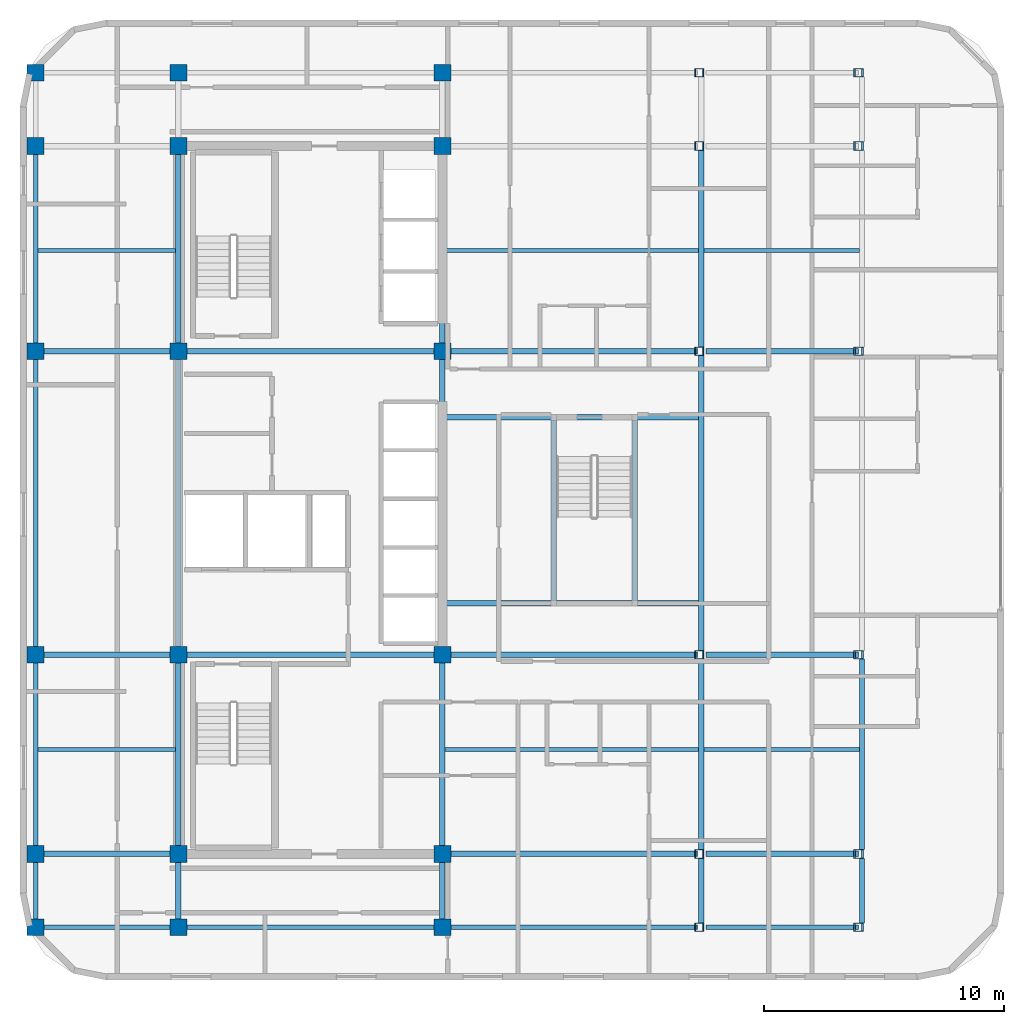
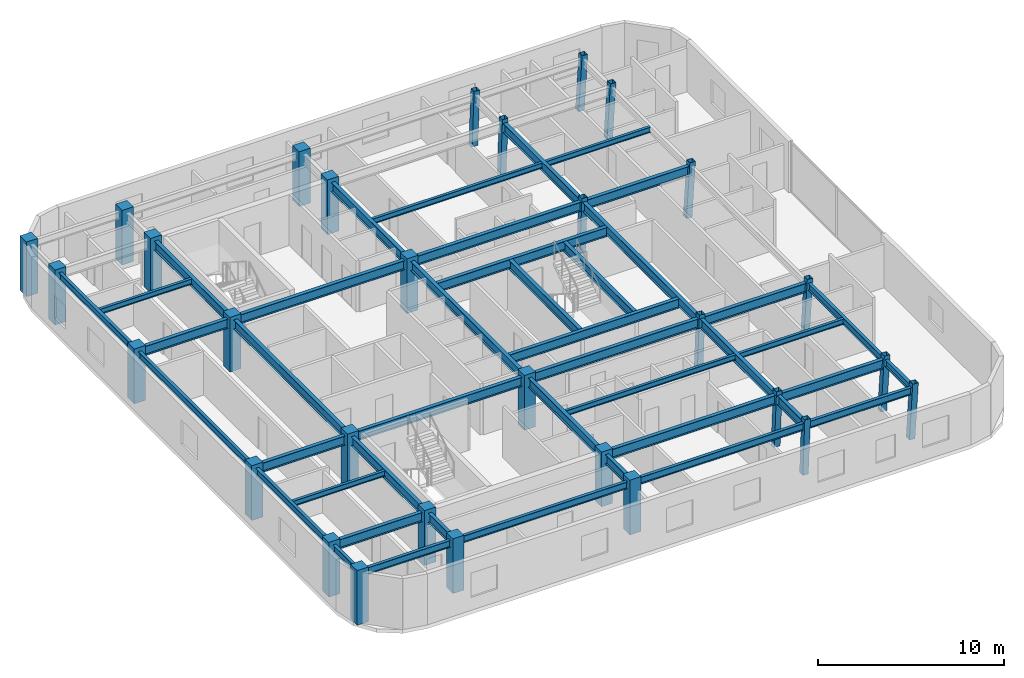
# One storey, part 1 of 9: 43 beams, 30 columns.
"""IFC4 building model written with IfcOpenShell, lengths in metres."""

from ifc_helpers import new_model, si_unit, direction, frame, origin, origin_2d, place, context, subcontext, project, spatial, rectangle, hollow_rectangle, i_section, extrude, material, material_profile, profile_set, type_object, element, save


model = new_model("IFC4")

# Units and contexts
model_context = context("Model", 3, precision=1e-05, world=origin(), true_north=direction((0.0, 1.0)))
body_context = subcontext(model_context, "Body", "Model", "MODEL_VIEW")
ifc_project = project(units=[si_unit("LENGTHUNIT", "METRE"), si_unit("AREAUNIT", "SQUARE_METRE"), si_unit("VOLUMEUNIT", "CUBIC_METRE"), si_unit("PLANEANGLEUNIT", "RADIAN"), si_unit("MASSUNIT", "GRAM", prefix="KILO")], contexts=[model_context])

# Site, building, storey
site_placement = place(None, origin())
site = spatial("IfcSite", under=ifc_project, at=site_placement, CompositionType="ELEMENT")
building_placement = place(site_placement, origin())
building = spatial("IfcBuilding", under=site, at=building_placement, Name="Ochreholt Gables", CompositionType="ELEMENT")
storey_placement = place(building_placement, frame((0.0, 0.0, 169.800048828125)))
storey = spatial("IfcBuildingStorey", under=building, at=storey_placement, Name="L44", CompositionType="ELEMENT", Elevation=169.800048828125)

# Columns
ifc_material_1 = material(Name="Steel CSA G40.21 350W", Category="steel")
ifc_material_profile_1 = material_profile(ifc_material_1, hollow_rectangle(XDim=0.35595703125, YDim=0.35595703125, WallThickness=0.01611328125, at=origin_2d()), Name="HSS356X356X16")
ifc_profile_set_1 = profile_set([ifc_material_profile_1], Name="Steel CSA G40.21 350W")
column_type_1 = type_object("IfcColumnType", Name="COL-HSS356-RAK", PredefinedType="COLUMN", material=ifc_profile_set_1)
for number, where, z_axis, x_axis, name in (
    (1, (45.87890625, 9.25, 0.0), (0.034973505036, 0.0, 0.999388239847), (0.0, 1.0, 0.0), "L44 Column EMY2"),
    (2, (45.87890625, 17.550048828125, 0.0), (0.034973505036, 0.0, 0.999388239847), (0.0, 1.0, 0.0), "L44 Column EMY3"),
    (3, (45.87890625, 30.199951171875, 0.0), (0.034973505036, 0.0, 0.999388239847), (0.0, 1.0, 0.0), "L44 Column EMY4"),
    (4, (45.87890625, 38.75, 0.0), (0.034973505036, 0.0, 0.999388239847), (0.0, 1.0, 0.0), "L44 Column EMY5"),
):
    element("IfcColumn", number, at=place(storey_placement, frame(where, z_axis=z_axis, x_axis=x_axis)), inside=storey, type_object=column_type_1, Name=name, PredefinedType="COLUMN", context=body_context, shape_type="SweptSolid", body=[
        extrude(hollow_rectangle(XDim=0.35595703125, YDim=0.35595703125, WallThickness=0.01611328125, at=origin_2d()), origin(), (0.0, 0.0, 1.0), 3.60205078125),
    ])
ifc_material_profile_2 = material_profile(ifc_material_1, hollow_rectangle(XDim=0.35595703125, YDim=0.35595703125, WallThickness=0.01611328125, at=origin_2d()), Name="HSS356X356X16")
ifc_profile_set_2 = profile_set([ifc_material_profile_2], Name="Steel CSA G40.21 350W")
column_type_2 = type_object("IfcColumnType", Name="COL-HSS356-RAKE", PredefinedType="COLUMN", material=ifc_profile_set_2)
for number, where, z_axis, x_axis, name in (
    (5, (45.87890625, 6.199951171875, 0.0), (0.034973505036, 0.0, 0.999388239847), (0.0, 1.0, 0.0), "L44 Column EMY1"),
    (6, (45.87890625, 41.800048828125, 0.0), (0.034973505036, 0.0, 0.999388239847), (0.0, 1.0, 0.0), "L44 Column EMY6"),
):
    element("IfcColumn", number, at=place(storey_placement, frame(where, z_axis=z_axis, x_axis=x_axis)), inside=storey, type_object=column_type_2, Name=name, PredefinedType="COLUMN", context=body_context, shape_type="SweptSolid", body=[
        extrude(hollow_rectangle(XDim=0.35595703125, YDim=0.35595703125, WallThickness=0.01611328125, at=origin_2d()), origin(), (0.0, 0.0, 1.0), 3.60205078125),
    ])
for number, where, z_axis, x_axis, name in (
    (7, (52.505126953125, 6.199951171875, 0.0), (0.057955997462, 0.0, 0.998319138531), (0.0, 1.0, 0.0), "L44 Column EEY1"),
    (8, (52.505126953125, 9.25, 0.0), (0.057955997462, 0.0, 0.998319138531), (0.0, 1.0, 0.0), "L44 Column EEY2"),
    (9, (52.505126953125, 17.550048828125, 0.0), (0.057955997462, 0.0, 0.998319138531), (0.0, 1.0, 0.0), "L44 Column EEY3"),
    (10, (52.505126953125, 30.199951171875, 0.0), (0.057955997462, 0.0, 0.998319138531), (0.0, 1.0, 0.0), "L44 Column EEY4"),
    (11, (52.505126953125, 38.75, 0.0), (0.057955997462, 0.0, 0.998319138531), (0.0, 1.0, 0.0), "L44 Column EEY5"),
    (12, (52.505126953125, 41.800048828125, 0.0), (0.057955997462, 0.0, 0.998319138531), (0.0, 1.0, 0.0), "L44 Column EEY6"),
):
    element("IfcColumn", number, at=place(storey_placement, frame(where, z_axis=z_axis, x_axis=x_axis)), inside=storey, type_object=column_type_2, Name=name, PredefinedType="COLUMN", context=body_context, shape_type="SweptSolid", body=[
        extrude(hollow_rectangle(XDim=0.35595703125, YDim=0.35595703125, WallThickness=0.01611328125, at=origin_2d()), origin(), (0.0, 0.0, 1.0), 3.60595703125),
    ])
ifc_material_2 = material(Name="Concrete 50 MPa", Category="concrete")
ifc_material_profile_3 = material_profile(ifc_material_2, rectangle(XDim=0.699951171875, YDim=0.699951171875, at=origin_2d()), Name="RC700X700")
ifc_profile_set_3 = profile_set([ifc_material_profile_3], Name="Concrete 50 MPa")
column_type_3 = type_object("IfcColumnType", Name="COL-RC700-EXT", PredefinedType="COLUMN", material=ifc_profile_set_3)
for number, where, z_axis, x_axis, name in (
    (13, (18.25, 6.199951171875, 0.0), (0.0, 0.0, 1.0), (1.0, 0.0, 0.0), "L44 Column W3Y1"),
    (14, (18.25, 9.25, 0.0), (0.0, 0.0, 1.0), (1.0, 0.0, 0.0), "L44 Column W3Y2"),
    (15, (18.25, 17.550048828125, 0.0), (0.0, 0.0, 1.0), (1.0, 0.0, 0.0), "L44 Column W3Y3"),
    (16, (18.25, 30.199951171875, 0.0), (0.0, 0.0, 1.0), (1.0, 0.0, 0.0), "L44 Column W3Y4"),
    (17, (18.25, 38.75, 0.0), (0.0, 0.0, 1.0), (1.0, 0.0, 0.0), "L44 Column W3Y5"),
    (18, (18.25, 41.800048828125, 0.0), (0.0, 0.0, 1.0), (1.0, 0.0, 0.0), "L44 Column W3Y6"),
    (19, (24.199951171875, 6.199951171875, 0.0), (0.0, 0.0, 1.0), (1.0, 0.0, 0.0), "L44 Column C1Y1"),
    (20, (24.199951171875, 41.800048828125, 0.0), (0.0, 0.0, 1.0), (1.0, 0.0, 0.0), "L44 Column C1Y6"),
    (21, (35.199951171875, 6.199951171875, 0.0), (0.0, 0.0, 1.0), (1.0, 0.0, 0.0), "L44 Column C2Y1"),
    (22, (35.199951171875, 41.800048828125, 0.0), (0.0, 0.0, 1.0), (1.0, 0.0, 0.0), "L44 Column C2Y6"),
):
    element("IfcColumn", number, at=place(storey_placement, frame(where, z_axis=z_axis, x_axis=x_axis)), inside=storey, type_object=column_type_3, Name=name, PredefinedType="COLUMN", context=body_context, shape_type="SweptSolid", body=[
        extrude(rectangle(XDim=0.699951171875, YDim=0.699951171875, at=origin_2d()), origin(), (0.0, 0.0, 1.0), 3.599853515625),
    ])
ifc_material_profile_4 = material_profile(ifc_material_2, rectangle(XDim=0.699951171875, YDim=0.699951171875, at=origin_2d()), Name="RC700X700")
ifc_profile_set_4 = profile_set([ifc_material_profile_4], Name="Concrete 50 MPa")
column_type_4 = type_object("IfcColumnType", Name="COL-RC700-INT", PredefinedType="COLUMN", material=ifc_profile_set_4)
for number, where, z_axis, x_axis, name in (
    (23, (24.199951171875, 9.25, 0.0), (0.0, 0.0, 1.0), (1.0, 0.0, 0.0), "L44 Column C1Y2"),
    (24, (24.199951171875, 17.550048828125, 0.0), (0.0, 0.0, 1.0), (1.0, 0.0, 0.0), "L44 Column C1Y3"),
    (25, (24.199951171875, 30.199951171875, 0.0), (0.0, 0.0, 1.0), (1.0, 0.0, 0.0), "L44 Column C1Y4"),
    (26, (24.199951171875, 38.75, 0.0), (0.0, 0.0, 1.0), (1.0, 0.0, 0.0), "L44 Column C1Y5"),
    (27, (35.199951171875, 9.25, 0.0), (0.0, 0.0, 1.0), (1.0, 0.0, 0.0), "L44 Column C2Y2"),
    (28, (35.199951171875, 17.550048828125, 0.0), (0.0, 0.0, 1.0), (1.0, 0.0, 0.0), "L44 Column C2Y3"),
    (29, (35.199951171875, 30.199951171875, 0.0), (0.0, 0.0, 1.0), (1.0, 0.0, 0.0), "L44 Column C2Y4"),
    (30, (35.199951171875, 38.75, 0.0), (0.0, 0.0, 1.0), (1.0, 0.0, 0.0), "L44 Column C2Y5"),
):
    element("IfcColumn", number, at=place(storey_placement, frame(where, z_axis=z_axis, x_axis=x_axis)), inside=storey, type_object=column_type_4, Name=name, PredefinedType="COLUMN", context=body_context, shape_type="SweptSolid", body=[
        extrude(rectangle(XDim=0.699951171875, YDim=0.699951171875, at=origin_2d()), origin(), (0.0, 0.0, 1.0), 3.599853515625),
    ])

# Beams
ifc_material_profile_5 = material_profile(ifc_material_1, i_section(OverallWidth=0.22900390625, OverallDepth=0.612060546875, WebThickness=0.011962890625, FlangeThickness=0.01953125, at=origin_2d()), Name="W610X125")
ifc_profile_set_5 = profile_set([ifc_material_profile_5], Name="Steel CSA G40.21 350W")
beam_type_1 = type_object("IfcBeamType", Name="BM-G-W610B", PredefinedType="BEAM", material=ifc_profile_set_5)
beam_1_placement = place(storey_placement, frame((18.599609375, 9.25, 3.0439453125), z_axis=(1.0, 0.0, 0.0), x_axis=(0.0, 1.0, 0.0)))
element("IfcBeam", 31, at=beam_1_placement, inside=storey, type_object=beam_type_1, Name="L44 Beam TBG-L44-W3C1-Y2", PredefinedType="BEAM", context=body_context, shape_type="SweptSolid", body=[
    extrude(i_section(OverallWidth=0.22900390625, OverallDepth=0.612060546875, WebThickness=0.011962890625, FlangeThickness=0.01953125, at=origin_2d()), origin(), (0.0, 0.0, 1.0), 5.250732421875),
])
beam_2_placement = place(storey_placement, frame((35.549560546875, 9.25, 3.0439453125), z_axis=(1.0, 0.0, 0.0), x_axis=(0.0, 1.0, 0.0)))
element("IfcBeam", 32, at=beam_2_placement, inside=storey, type_object=beam_type_1, Name="L44 Beam TBG-L44-C2EM-Y2", PredefinedType="BEAM", context=body_context, shape_type="SweptSolid", body=[
    extrude(i_section(OverallWidth=0.22900390625, OverallDepth=0.612060546875, WebThickness=0.011962890625, FlangeThickness=0.01953125, at=origin_2d()), origin(), (0.0, 0.0, 1.0), 10.27783203125),
])
beam_3_placement = place(storey_placement, frame((46.1826171875, 9.25, 3.0439453125), z_axis=(1.0, 0.0, 0.0), x_axis=(0.0, 1.0, 0.0)))
element("IfcBeam", 33, at=beam_3_placement, inside=storey, type_object=beam_type_1, Name="L44 Beam TBG-L44-EMEE-Y2", PredefinedType="BEAM", context=body_context, shape_type="SweptSolid", body=[
    extrude(i_section(OverallWidth=0.22900390625, OverallDepth=0.612060546875, WebThickness=0.011962890625, FlangeThickness=0.01953125, at=origin_2d()), origin(), (0.0, 0.0, 1.0), 6.353759765625),
])
beam_4_placement = place(storey_placement, frame((18.599609375, 17.550048828125, 3.0439453125), z_axis=(1.0, 0.0, 0.0), x_axis=(0.0, 1.0, 0.0)))
element("IfcBeam", 34, at=beam_4_placement, inside=storey, type_object=beam_type_1, Name="L44 Beam TBG-L44-W3C1-Y3", PredefinedType="BEAM", context=body_context, shape_type="SweptSolid", body=[
    extrude(i_section(OverallWidth=0.22900390625, OverallDepth=0.612060546875, WebThickness=0.011962890625, FlangeThickness=0.01953125, at=origin_2d()), origin(), (0.0, 0.0, 1.0), 5.250732421875),
])
beam_5_placement = place(storey_placement, frame((24.549560546875, 17.550048828125, 3.0439453125), z_axis=(1.0, 0.0, 0.0), x_axis=(0.0, 1.0, 0.0)))
element("IfcBeam", 35, at=beam_5_placement, inside=storey, type_object=beam_type_1, Name="L44 Beam TBG-L44-C1C2-Y3", PredefinedType="BEAM", context=body_context, shape_type="SweptSolid", body=[
    extrude(i_section(OverallWidth=0.22900390625, OverallDepth=0.612060546875, WebThickness=0.011962890625, FlangeThickness=0.01953125, at=origin_2d()), origin(), (0.0, 0.0, 1.0), 10.30078125),
])
beam_6_placement = place(storey_placement, frame((35.549560546875, 17.550048828125, 3.0439453125), z_axis=(1.0, 0.0, 0.0), x_axis=(0.0, 1.0, 0.0)))
element("IfcBeam", 36, at=beam_6_placement, inside=storey, type_object=beam_type_1, Name="L44 Beam TBG-L44-C2EM-Y3", PredefinedType="BEAM", context=body_context, shape_type="SweptSolid", body=[
    extrude(i_section(OverallWidth=0.22900390625, OverallDepth=0.612060546875, WebThickness=0.011962890625, FlangeThickness=0.01953125, at=origin_2d()), origin(), (0.0, 0.0, 1.0), 10.27783203125),
])
beam_7_placement = place(storey_placement, frame((46.1826171875, 17.550048828125, 3.0439453125), z_axis=(1.0, 0.0, 0.0), x_axis=(0.0, 1.0, 0.0)))
element("IfcBeam", 37, at=beam_7_placement, inside=storey, type_object=beam_type_1, Name="L44 Beam TBG-L44-EMEE-Y3", PredefinedType="BEAM", context=body_context, shape_type="SweptSolid", body=[
    extrude(i_section(OverallWidth=0.22900390625, OverallDepth=0.612060546875, WebThickness=0.011962890625, FlangeThickness=0.01953125, at=origin_2d()), origin(), (0.0, 0.0, 1.0), 6.353759765625),
])
beam_8_placement = place(storey_placement, frame((18.599609375, 30.199951171875, 3.0439453125), z_axis=(1.0, 0.0, 0.0), x_axis=(0.0, 1.0, 0.0)))
element("IfcBeam", 38, at=beam_8_placement, inside=storey, type_object=beam_type_1, Name="L44 Beam TBG-L44-W3C1-Y4", PredefinedType="BEAM", context=body_context, shape_type="SweptSolid", body=[
    extrude(i_section(OverallWidth=0.22900390625, OverallDepth=0.612060546875, WebThickness=0.011962890625, FlangeThickness=0.01953125, at=origin_2d()), origin(), (0.0, 0.0, 1.0), 5.250732421875),
])
beam_9_placement = place(storey_placement, frame((24.549560546875, 30.199951171875, 3.0439453125), z_axis=(1.0, 0.0, 0.0), x_axis=(0.0, 1.0, 0.0)))
element("IfcBeam", 39, at=beam_9_placement, inside=storey, type_object=beam_type_1, Name="L44 Beam TBG-L44-C1C2-Y4", PredefinedType="BEAM", context=body_context, shape_type="SweptSolid", body=[
    extrude(i_section(OverallWidth=0.22900390625, OverallDepth=0.612060546875, WebThickness=0.011962890625, FlangeThickness=0.01953125, at=origin_2d()), origin(), (0.0, 0.0, 1.0), 10.30078125),
])
beam_10_placement = place(storey_placement, frame((35.549560546875, 30.199951171875, 3.0439453125), z_axis=(1.0, 0.0, 0.0), x_axis=(0.0, 1.0, 0.0)))
element("IfcBeam", 40, at=beam_10_placement, inside=storey, type_object=beam_type_1, Name="L44 Beam TBG-L44-C2EM-Y4", PredefinedType="BEAM", context=body_context, shape_type="SweptSolid", body=[
    extrude(i_section(OverallWidth=0.22900390625, OverallDepth=0.612060546875, WebThickness=0.011962890625, FlangeThickness=0.01953125, at=origin_2d()), origin(), (0.0, 0.0, 1.0), 10.27783203125),
])
beam_11_placement = place(storey_placement, frame((46.1826171875, 30.199951171875, 3.0439453125), z_axis=(1.0, 0.0, 0.0), x_axis=(0.0, 1.0, 0.0)))
element("IfcBeam", 41, at=beam_11_placement, inside=storey, type_object=beam_type_1, Name="L44 Beam TBG-L44-EMEE-Y4", PredefinedType="BEAM", context=body_context, shape_type="SweptSolid", body=[
    extrude(i_section(OverallWidth=0.22900390625, OverallDepth=0.612060546875, WebThickness=0.011962890625, FlangeThickness=0.01953125, at=origin_2d()), origin(), (0.0, 0.0, 1.0), 6.353759765625),
])
beam_12_placement = place(storey_placement, frame((24.199951171875, 6.549560546875, 3.0439453125), z_axis=(0.0, 1.0, 0.0), x_axis=(-1.0, 0.0, 0.0)))
element("IfcBeam", 42, at=beam_12_placement, inside=storey, type_object=beam_type_1, Name="L44 Beam TBN-L44-C1-Y1Y2", PredefinedType="BEAM", context=body_context, shape_type="SweptSolid", body=[
    extrude(i_section(OverallWidth=0.22900390625, OverallDepth=0.612060546875, WebThickness=0.011962890625, FlangeThickness=0.01953125, at=origin_2d()), origin(), (0.0, 0.0, 1.0), 2.350830078125),
])
beam_13_placement = place(storey_placement, frame((24.199951171875, 9.599609375, 3.0439453125), z_axis=(0.0, 1.0, 0.0), x_axis=(-1.0, 0.0, 0.0)))
element("IfcBeam", 43, at=beam_13_placement, inside=storey, type_object=beam_type_1, Name="L44 Beam TBN-L44-C1-Y2Y3", PredefinedType="BEAM", context=body_context, shape_type="SweptSolid", body=[
    extrude(i_section(OverallWidth=0.22900390625, OverallDepth=0.612060546875, WebThickness=0.011962890625, FlangeThickness=0.01953125, at=origin_2d()), origin(), (0.0, 0.0, 1.0), 7.600830078125),
])
beam_14_placement = place(storey_placement, frame((24.199951171875, 17.899658203125, 3.0439453125), z_axis=(0.0, 1.0, 0.0), x_axis=(-1.0, 0.0, 0.0)))
element("IfcBeam", 44, at=beam_14_placement, inside=storey, type_object=beam_type_1, Name="L44 Beam TBN-L44-C1-Y3Y4", PredefinedType="BEAM", context=body_context, shape_type="SweptSolid", body=[
    extrude(i_section(OverallWidth=0.22900390625, OverallDepth=0.612060546875, WebThickness=0.011962890625, FlangeThickness=0.01953125, at=origin_2d()), origin(), (0.0, 0.0, 1.0), 11.95068359375),
])
beam_15_placement = place(storey_placement, frame((24.199951171875, 30.549560546875, 3.0439453125), z_axis=(0.0, 1.0, 0.0), x_axis=(-1.0, 0.0, 0.0)))
element("IfcBeam", 45, at=beam_15_placement, inside=storey, type_object=beam_type_1, Name="L44 Beam TBN-L44-C1-Y4Y5", PredefinedType="BEAM", context=body_context, shape_type="SweptSolid", body=[
    extrude(i_section(OverallWidth=0.22900390625, OverallDepth=0.612060546875, WebThickness=0.011962890625, FlangeThickness=0.01953125, at=origin_2d()), origin(), (0.0, 0.0, 1.0), 7.850830078125),
])
beam_16_placement = place(storey_placement, frame((35.199951171875, 6.549560546875, 3.0439453125), z_axis=(0.0, 1.0, 0.0), x_axis=(-1.0, 0.0, 0.0)))
element("IfcBeam", 46, at=beam_16_placement, inside=storey, type_object=beam_type_1, Name="L44 Beam TBN-L44-C2-Y1Y2", PredefinedType="BEAM", context=body_context, shape_type="SweptSolid", body=[
    extrude(i_section(OverallWidth=0.22900390625, OverallDepth=0.612060546875, WebThickness=0.011962890625, FlangeThickness=0.01953125, at=origin_2d()), origin(), (0.0, 0.0, 1.0), 2.350830078125),
])
beam_17_placement = place(storey_placement, frame((35.199951171875, 9.599609375, 3.0439453125), z_axis=(0.0, 1.0, 0.0), x_axis=(-1.0, 0.0, 0.0)))
element("IfcBeam", 47, at=beam_17_placement, inside=storey, type_object=beam_type_1, Name="L44 Beam TBN-L44-C2-Y2Y3", PredefinedType="BEAM", context=body_context, shape_type="SweptSolid", body=[
    extrude(i_section(OverallWidth=0.22900390625, OverallDepth=0.612060546875, WebThickness=0.011962890625, FlangeThickness=0.01953125, at=origin_2d()), origin(), (0.0, 0.0, 1.0), 7.600830078125),
])
beam_18_placement = place(storey_placement, frame((35.199951171875, 17.899658203125, 3.0439453125), z_axis=(0.0, 1.0, 0.0), x_axis=(-1.0, 0.0, 0.0)))
element("IfcBeam", 48, at=beam_18_placement, inside=storey, type_object=beam_type_1, Name="L44 Beam TBN-L44-C2-Y3Y4", PredefinedType="BEAM", context=body_context, shape_type="SweptSolid", body=[
    extrude(i_section(OverallWidth=0.22900390625, OverallDepth=0.612060546875, WebThickness=0.011962890625, FlangeThickness=0.01953125, at=origin_2d()), origin(), (0.0, 0.0, 1.0), 11.95068359375),
])
beam_19_placement = place(storey_placement, frame((35.199951171875, 30.549560546875, 3.0439453125), z_axis=(0.0, 1.0, 0.0), x_axis=(-1.0, 0.0, 0.0)))
element("IfcBeam", 49, at=beam_19_placement, inside=storey, type_object=beam_type_1, Name="L44 Beam TBN-L44-C2-Y4Y5", PredefinedType="BEAM", context=body_context, shape_type="SweptSolid", body=[
    extrude(i_section(OverallWidth=0.22900390625, OverallDepth=0.612060546875, WebThickness=0.011962890625, FlangeThickness=0.01953125, at=origin_2d()), origin(), (0.0, 0.0, 1.0), 7.850830078125),
])
beam_20_placement = place(storey_placement, frame((45.987548828125, 6.377685546875, 3.0439453125), z_axis=(0.0, 1.0, 0.0), x_axis=(-1.0, 0.0, 0.0)))
element("IfcBeam", 50, at=beam_20_placement, inside=storey, type_object=beam_type_1, Name="L44 Beam TBN-L44-EM-Y1Y2", PredefinedType="BEAM", context=body_context, shape_type="SweptSolid", body=[
    extrude(i_section(OverallWidth=0.22900390625, OverallDepth=0.612060546875, WebThickness=0.011962890625, FlangeThickness=0.01953125, at=origin_2d()), origin(), (0.0, 0.0, 1.0), 2.69482421875),
])
beam_21_placement = place(storey_placement, frame((45.987548828125, 9.427490234375, 3.0439453125), z_axis=(0.0, 1.0, 0.0), x_axis=(-1.0, 0.0, 0.0)))
element("IfcBeam", 51, at=beam_21_placement, inside=storey, type_object=beam_type_1, Name="L44 Beam TBN-L44-EM-Y2Y3", PredefinedType="BEAM", context=body_context, shape_type="SweptSolid", body=[
    extrude(i_section(OverallWidth=0.22900390625, OverallDepth=0.612060546875, WebThickness=0.011962890625, FlangeThickness=0.01953125, at=origin_2d()), origin(), (0.0, 0.0, 1.0), 7.94482421875),
])
beam_22_placement = place(storey_placement, frame((45.987548828125, 17.7275390625, 3.0439453125), z_axis=(0.0, 1.0, 0.0), x_axis=(-1.0, 0.0, 0.0)))
element("IfcBeam", 52, at=beam_22_placement, inside=storey, type_object=beam_type_1, Name="L44 Beam TBN-L44-EM-Y3Y4", PredefinedType="BEAM", context=body_context, shape_type="SweptSolid", body=[
    extrude(i_section(OverallWidth=0.22900390625, OverallDepth=0.612060546875, WebThickness=0.011962890625, FlangeThickness=0.01953125, at=origin_2d()), origin(), (0.0, 0.0, 1.0), 12.294921875),
])
beam_23_placement = place(storey_placement, frame((45.987548828125, 30.377685546875, 3.0439453125), z_axis=(0.0, 1.0, 0.0), x_axis=(-1.0, 0.0, 0.0)))
element("IfcBeam", 53, at=beam_23_placement, inside=storey, type_object=beam_type_1, Name="L44 Beam TBN-L44-EM-Y4Y5", PredefinedType="BEAM", context=body_context, shape_type="SweptSolid", body=[
    extrude(i_section(OverallWidth=0.22900390625, OverallDepth=0.612060546875, WebThickness=0.011962890625, FlangeThickness=0.01953125, at=origin_2d()), origin(), (0.0, 0.0, 1.0), 8.19482421875),
])
for number, where, z_axis, x_axis, name in (
    (54, (35.314208984375, 19.68994140625, 3.0439453125), (1.0, 0.0, 0.0), (0.0, 1.0, 0.0), "L44 Beam TBH-L44-ST-C4-FSTUS"),
    (55, (35.314208984375, 27.449951171875, 3.0439453125), (1.0, 0.0, 0.0), (0.0, 1.0, 0.0), "L44 Beam TBH-L44-ST-C4-FSTUN"),
):
    element("IfcBeam", number, at=place(storey_placement, frame(where, z_axis=z_axis, x_axis=x_axis)), inside=storey, type_object=beam_type_1, Name=name, PredefinedType="BEAM", context=body_context, shape_type="SweptSolid", body=[
        extrude(i_section(OverallWidth=0.22900390625, OverallDepth=0.612060546875, WebThickness=0.011962890625, FlangeThickness=0.01953125, at=origin_2d()), origin(), (0.0, 0.0, 1.0), 10.55908203125),
    ])
for number, where, z_axis, x_axis, name in (
    (56, (39.840087890625, 19.80419921875, 3.0439453125), (0.0, 1.0, 0.0), (-1.0, 0.0, 0.0), "L44 Beam TBT-L44-ST-C4-FSTUW"),
    (57, (43.219970703125, 19.80419921875, 3.0439453125), (0.0, 1.0, 0.0), (-1.0, 0.0, 0.0), "L44 Beam TBT-L44-ST-C4-FSTUE"),
):
    element("IfcBeam", number, at=place(storey_placement, frame(where, z_axis=z_axis, x_axis=x_axis)), inside=storey, type_object=beam_type_1, Name=name, PredefinedType="BEAM", context=body_context, shape_type="SweptSolid", body=[
        extrude(i_section(OverallWidth=0.22900390625, OverallDepth=0.612060546875, WebThickness=0.011962890625, FlangeThickness=0.01953125, at=origin_2d()), origin(), (0.0, 0.0, 1.0), 7.53173828125),
    ])
ifc_material_profile_6 = material_profile(ifc_material_1, i_section(OverallWidth=0.172119140625, OverallDepth=0.35791015625, WebThickness=0.0078125, FlangeThickness=0.01318359375, at=origin_2d()), Name="W360X57")
ifc_profile_set_6 = profile_set([ifc_material_profile_6], Name="Steel CSA G40.21 350W")
beam_type_2 = type_object("IfcBeamType", Name="BM-J-W360B", PredefinedType="JOIST", material=ifc_profile_set_6)
beam_24_placement = place(storey_placement, frame((18.345703125, 13.60009765625, 3.1708984375), z_axis=(1.0, 0.0, 0.0), x_axis=(0.0, 1.0, 0.0)))
element("IfcBeam", 58, at=beam_24_placement, inside=storey, type_object=beam_type_2, Name="L44 Beam TBJ-L44-J1-W3C1", PredefinedType="JOIST", context=body_context, shape_type="SweptSolid", body=[
    extrude(i_section(OverallWidth=0.172119140625, OverallDepth=0.35791015625, WebThickness=0.0078125, FlangeThickness=0.01318359375, at=origin_2d()), origin(), (0.0, 0.0, 1.0), 5.740234375),
])
beam_25_placement = place(storey_placement, frame((35.314208984375, 13.60009765625, 3.1708984375), z_axis=(1.0, 0.0, 0.0), x_axis=(0.0, 1.0, 0.0)))
element("IfcBeam", 59, at=beam_25_placement, inside=storey, type_object=beam_type_2, Name="L44 Beam TBJ-L44-J1-C2EM", PredefinedType="JOIST", context=body_context, shape_type="SweptSolid", body=[
    extrude(i_section(OverallWidth=0.172119140625, OverallDepth=0.35791015625, WebThickness=0.0078125, FlangeThickness=0.01318359375, at=origin_2d()), origin(), (0.0, 0.0, 1.0), 10.55908203125),
])
beam_26_placement = place(storey_placement, frame((46.1015625, 13.60009765625, 3.1708984375), z_axis=(1.0, 0.0, 0.0), x_axis=(0.0, 1.0, 0.0)))
element("IfcBeam", 60, at=beam_26_placement, inside=storey, type_object=beam_type_2, Name="L44 Beam TBJ-L44-J1-EMEE", PredefinedType="JOIST", context=body_context, shape_type="SweptSolid", body=[
    extrude(i_section(OverallWidth=0.172119140625, OverallDepth=0.35791015625, WebThickness=0.0078125, FlangeThickness=0.01318359375, at=origin_2d()), origin(), (0.0, 0.0, 1.0), 6.48779296875),
])
beam_27_placement = place(storey_placement, frame((18.345703125, 34.39990234375, 3.1708984375), z_axis=(1.0, 0.0, 0.0), x_axis=(0.0, 1.0, 0.0)))
element("IfcBeam", 61, at=beam_27_placement, inside=storey, type_object=beam_type_2, Name="L44 Beam TBJ-L44-J2-W3C1", PredefinedType="JOIST", context=body_context, shape_type="SweptSolid", body=[
    extrude(i_section(OverallWidth=0.172119140625, OverallDepth=0.35791015625, WebThickness=0.0078125, FlangeThickness=0.01318359375, at=origin_2d()), origin(), (0.0, 0.0, 1.0), 5.740234375),
])
beam_28_placement = place(storey_placement, frame((35.314208984375, 34.39990234375, 3.1708984375), z_axis=(1.0, 0.0, 0.0), x_axis=(0.0, 1.0, 0.0)))
element("IfcBeam", 62, at=beam_28_placement, inside=storey, type_object=beam_type_2, Name="L44 Beam TBJ-L44-J2-C2EM", PredefinedType="JOIST", context=body_context, shape_type="SweptSolid", body=[
    extrude(i_section(OverallWidth=0.172119140625, OverallDepth=0.35791015625, WebThickness=0.0078125, FlangeThickness=0.01318359375, at=origin_2d()), origin(), (0.0, 0.0, 1.0), 10.55908203125),
])
beam_29_placement = place(storey_placement, frame((46.1015625, 34.39990234375, 3.1708984375), z_axis=(1.0, 0.0, 0.0), x_axis=(0.0, 1.0, 0.0)))
element("IfcBeam", 63, at=beam_29_placement, inside=storey, type_object=beam_type_2, Name="L44 Beam TBJ-L44-J2-EMEE", PredefinedType="JOIST", context=body_context, shape_type="SweptSolid", body=[
    extrude(i_section(OverallWidth=0.172119140625, OverallDepth=0.35791015625, WebThickness=0.0078125, FlangeThickness=0.01318359375, at=origin_2d()), origin(), (0.0, 0.0, 1.0), 6.48779296875),
])
ifc_material_profile_7 = material_profile(ifc_material_1, i_section(OverallWidth=0.19189453125, OverallDepth=0.462890625, WebThickness=0.010498046875, FlangeThickness=0.017578125, at=origin_2d()), Name="W460X89")
ifc_profile_set_7 = profile_set([ifc_material_profile_7], Name="Steel CSA G40.21 350W")
beam_type_3 = type_object("IfcBeamType", Name="BM-SP-W460A", PredefinedType="SPANDREL", material=ifc_profile_set_7)
beam_30_placement = place(storey_placement, frame((18.599609375, 6.199951171875, 3.118408203125), z_axis=(1.0, 0.0, 0.0), x_axis=(0.0, 1.0, 0.0)))
element("IfcBeam", 64, at=beam_30_placement, inside=storey, type_object=beam_type_3, Name="L44 Beam TBG-L44-W3C1-Y1", PredefinedType="SPANDREL", context=body_context, shape_type="SweptSolid", body=[
    extrude(i_section(OverallWidth=0.19189453125, OverallDepth=0.462890625, WebThickness=0.010498046875, FlangeThickness=0.017578125, at=origin_2d()), origin(), (0.0, 0.0, 1.0), 5.250732421875),
])
beam_31_placement = place(storey_placement, frame((24.549560546875, 6.199951171875, 3.118408203125), z_axis=(1.0, 0.0, 0.0), x_axis=(0.0, 1.0, 0.0)))
element("IfcBeam", 65, at=beam_31_placement, inside=storey, type_object=beam_type_3, Name="L44 Beam TBG-L44-C1C2-Y1", PredefinedType="SPANDREL", context=body_context, shape_type="SweptSolid", body=[
    extrude(i_section(OverallWidth=0.19189453125, OverallDepth=0.462890625, WebThickness=0.010498046875, FlangeThickness=0.017578125, at=origin_2d()), origin(), (0.0, 0.0, 1.0), 10.30078125),
])
beam_32_placement = place(storey_placement, frame((35.549560546875, 6.199951171875, 3.118408203125), z_axis=(1.0, 0.0, 0.0), x_axis=(0.0, 1.0, 0.0)))
element("IfcBeam", 66, at=beam_32_placement, inside=storey, type_object=beam_type_3, Name="L44 Beam TBG-L44-C2EM-Y1", PredefinedType="SPANDREL", context=body_context, shape_type="SweptSolid", body=[
    extrude(i_section(OverallWidth=0.19189453125, OverallDepth=0.462890625, WebThickness=0.010498046875, FlangeThickness=0.017578125, at=origin_2d()), origin(), (0.0, 0.0, 1.0), 10.27783203125),
])
beam_33_placement = place(storey_placement, frame((46.1826171875, 6.199951171875, 3.118408203125), z_axis=(1.0, 0.0, 0.0), x_axis=(0.0, 1.0, 0.0)))
element("IfcBeam", 67, at=beam_33_placement, inside=storey, type_object=beam_type_3, Name="L44 Beam TBG-L44-EMEE-Y1", PredefinedType="SPANDREL", context=body_context, shape_type="SweptSolid", body=[
    extrude(i_section(OverallWidth=0.19189453125, OverallDepth=0.462890625, WebThickness=0.010498046875, FlangeThickness=0.017578125, at=origin_2d()), origin(), (0.0, 0.0, 1.0), 6.353759765625),
])
beam_34_placement = place(storey_placement, frame((18.25, 6.549560546875, 3.118408203125), z_axis=(0.0, 1.0, 0.0), x_axis=(-1.0, 0.0, 0.0)))
element("IfcBeam", 68, at=beam_34_placement, inside=storey, type_object=beam_type_3, Name="L44 Beam TBN-L44-W3-Y1Y2", PredefinedType="SPANDREL", context=body_context, shape_type="SweptSolid", body=[
    extrude(i_section(OverallWidth=0.19189453125, OverallDepth=0.462890625, WebThickness=0.010498046875, FlangeThickness=0.017578125, at=origin_2d()), origin(), (0.0, 0.0, 1.0), 2.350830078125),
])
beam_35_placement = place(storey_placement, frame((18.25, 9.599609375, 3.118408203125), z_axis=(0.0, 1.0, 0.0), x_axis=(-1.0, 0.0, 0.0)))
element("IfcBeam", 69, at=beam_35_placement, inside=storey, type_object=beam_type_3, Name="L44 Beam TBN-L44-W3-Y2Y3", PredefinedType="SPANDREL", context=body_context, shape_type="SweptSolid", body=[
    extrude(i_section(OverallWidth=0.19189453125, OverallDepth=0.462890625, WebThickness=0.010498046875, FlangeThickness=0.017578125, at=origin_2d()), origin(), (0.0, 0.0, 1.0), 7.600830078125),
])
beam_36_placement = place(storey_placement, frame((18.25, 17.899658203125, 3.118408203125), z_axis=(0.0, 1.0, 0.0), x_axis=(-1.0, 0.0, 0.0)))
element("IfcBeam", 70, at=beam_36_placement, inside=storey, type_object=beam_type_3, Name="L44 Beam TBN-L44-W3-Y3Y4", PredefinedType="SPANDREL", context=body_context, shape_type="SweptSolid", body=[
    extrude(i_section(OverallWidth=0.19189453125, OverallDepth=0.462890625, WebThickness=0.010498046875, FlangeThickness=0.017578125, at=origin_2d()), origin(), (0.0, 0.0, 1.0), 11.95068359375),
])
beam_37_placement = place(storey_placement, frame((18.25, 30.549560546875, 3.118408203125), z_axis=(0.0, 1.0, 0.0), x_axis=(-1.0, 0.0, 0.0)))
element("IfcBeam", 71, at=beam_37_placement, inside=storey, type_object=beam_type_3, Name="L44 Beam TBN-L44-W3-Y4Y5", PredefinedType="SPANDREL", context=body_context, shape_type="SweptSolid", body=[
    extrude(i_section(OverallWidth=0.19189453125, OverallDepth=0.462890625, WebThickness=0.010498046875, FlangeThickness=0.017578125, at=origin_2d()), origin(), (0.0, 0.0, 1.0), 7.850830078125),
])
beam_38_placement = place(storey_placement, frame((52.68505859375, 6.377685546875, 3.118408203125), z_axis=(0.0, 1.0, 0.0), x_axis=(-1.0, 0.0, 0.0)))
element("IfcBeam", 72, at=beam_38_placement, inside=storey, type_object=beam_type_3, Name="L44 Beam TBN-L44-EE-Y1Y2", PredefinedType="SPANDREL", context=body_context, shape_type="SweptSolid", body=[
    extrude(i_section(OverallWidth=0.19189453125, OverallDepth=0.462890625, WebThickness=0.010498046875, FlangeThickness=0.017578125, at=origin_2d()), origin(), (0.0, 0.0, 1.0), 2.69482421875),
])
beam_39_placement = place(storey_placement, frame((52.68505859375, 9.427490234375, 3.118408203125), z_axis=(0.0, 1.0, 0.0), x_axis=(-1.0, 0.0, 0.0)))
element("IfcBeam", 73, at=beam_39_placement, inside=storey, type_object=beam_type_3, Name="L44 Beam TBN-L44-EE-Y2Y3", PredefinedType="SPANDREL", context=body_context, shape_type="SweptSolid", body=[
    extrude(i_section(OverallWidth=0.19189453125, OverallDepth=0.462890625, WebThickness=0.010498046875, FlangeThickness=0.017578125, at=origin_2d()), origin(), (0.0, 0.0, 1.0), 7.94482421875),
])

save(model, "model.ifc")
